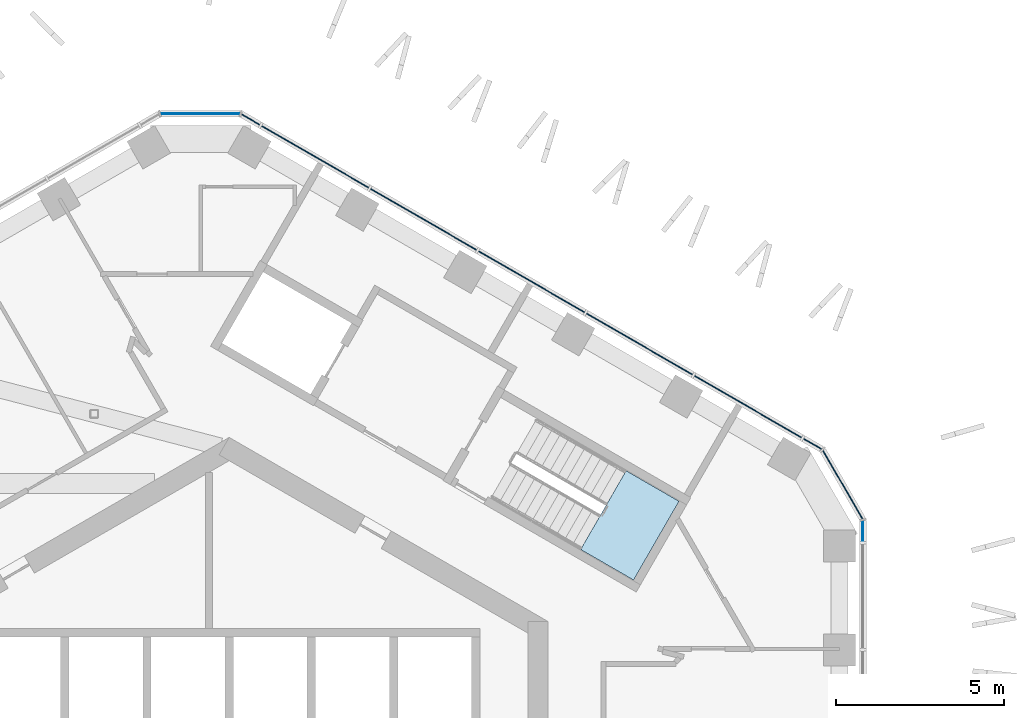
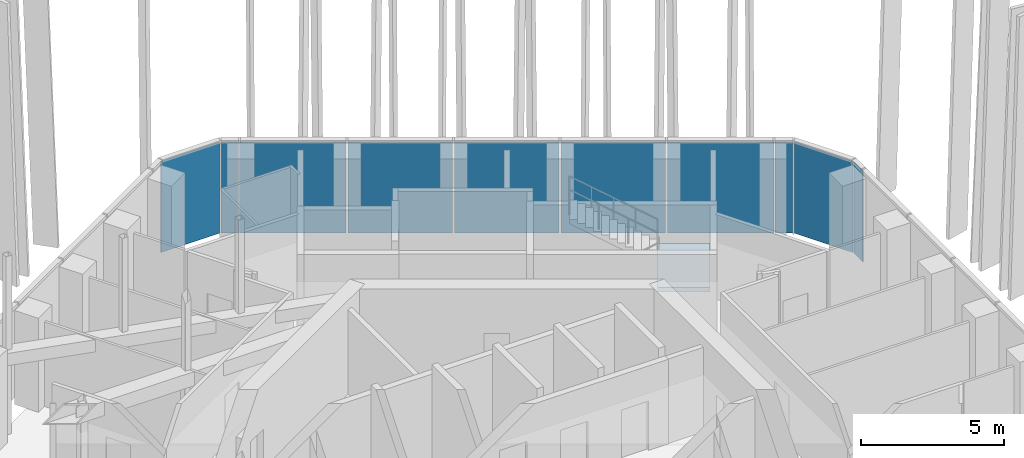
# One storey, part 17 of 28: 10 plates, 1 slab, 4 elements without a shape of their own.
"""IFC4 building model written with IfcOpenShell, lengths in metres."""

from ifc_helpers import new_model, si_unit, direction, frame, origin, origin_2d, place, context, subcontext, project, spatial, polyline, rectangle, outline, extrude, material, layer, layer_set, type_object, element, aggregate, save


model = new_model("IFC4")

# Units and contexts
model_context = context("Model", 3, precision=1e-05, world=origin(), true_north=direction((0.0, 1.0)))
body_context = subcontext(model_context, "Body", "Model", "MODEL_VIEW")
ifc_project = project(units=[si_unit("LENGTHUNIT", "METRE"), si_unit("AREAUNIT", "SQUARE_METRE"), si_unit("VOLUMEUNIT", "CUBIC_METRE"), si_unit("PLANEANGLEUNIT", "RADIAN"), si_unit("MASSUNIT", "GRAM", prefix="KILO")], contexts=[model_context])

# Site, building, storey
site_placement = place(None, origin())
site = spatial("IfcSite", under=ifc_project, at=site_placement, CompositionType="ELEMENT")
building_placement = place(site_placement, origin())
building = spatial("IfcBuilding", under=site, at=building_placement, Name="Ayvan Gate Tower", CompositionType="ELEMENT")
storey_placement = place(building_placement, frame((0.0, 0.0, 202.10009765625)))
storey = spatial("IfcBuildingStorey", under=building, at=storey_placement, Name="L54", CompositionType="ELEMENT", Elevation=202.10009765625)

# Stair, slab
ifc_material_1 = material(Name="Concrete C40/50", Category="concrete")
stair_type = type_object("IfcStairType", Name="ST-EXIT", PredefinedType="HALF_TURN_STAIR", material=ifc_material_1)
stair_placement = place(storey_placement, origin())
stair = element("IfcStair", 1, at=stair_placement, inside=storey, type_object=stair_type, Name="L54 Exit Stair S1", PredefinedType="HALF_TURN_STAIR")
ifc_layer_1 = layer(ifc_material_1, 0.199951171875)
ifc_layer_set_1 = layer_set([ifc_layer_1], Name="Concrete C40/50")
slab_type = type_object("IfcSlabType", Name="SL-LANDING-200", PredefinedType="LANDING", material=ifc_layer_set_1)
slab_placement = place(storey_placement, frame((0.0, 0.0, 1.7998046875)))
slab = element("IfcSlab", 2, at=slab_placement, type_object=slab_type, Name="STS1 landing 1", PredefinedType="LANDING", context=body_context, shape_type="SweptSolid", body=[
    extrude(outline(polyline([(10.473388671875, 7.630615234375), (12.049560546875, 6.720458984375), (13.404541015625, 9.0673828125), (11.828369140625, 9.9775390625), (10.473388671875, 7.630615234375)])), origin(), (0.0, 0.0, 1.0), 0.2001953125),
])
aggregate(stair, [slab])

# Curtain wall, plates
ifc_material_2 = material(Name="Bronze anodised aluminium", Category="aluminium")
ifc_layer_2 = layer(ifc_material_2, 0.199951171875)
ifc_layer_set_2 = layer_set([ifc_layer_2], Name="Bronze anodised aluminium")
curtain_wall_type_1 = type_object("IfcCurtainWallType", Name="Stick curtain wall CW-2", PredefinedType="NOTDEFINED", material=ifc_layer_set_2)
curtain_wall_1_placement = place(storey_placement, origin())
curtain_wall_1 = element("IfcCurtainWall", 3, at=curtain_wall_1_placement, inside=storey, type_object=curtain_wall_type_1, Name="Stick curtain wall CW-2 L54", PredefinedType="NOTDEFINED")
ifc_material_3 = material(Name="Clear low-iron laminated glass", Category="glass")
ifc_layer_3 = layer(ifc_material_3, 0.028076171875)
ifc_layer_set_3 = layer_set([ifc_layer_3], Name="Clear low-iron laminated glass")
plate_type_1 = type_object("IfcPlateType", Name="Stick curtain wall CW-2 glass panel", PredefinedType="CURTAIN_PANEL", material=ifc_layer_set_3)
plate_1_placement = place(storey_placement, frame((15.47705078125, 11.876953125, 0.0), z_axis=(0.0, 0.0, 1.0), x_axis=(-0.866025403784, 0.5, 0.0)))
plate_1 = element("IfcPlate", 4, at=plate_1_placement, type_object=plate_type_1, Name="CW-2 glass panel 1", PredefinedType="CURTAIN_PANEL", context=body_context, shape_type="SweptSolid", body=[
    extrude(rectangle(XDim=3.716064453125, YDim=0.028076171875, at=origin_2d()), origin(), (0.0, 0.0, 1.0), 3.8798828125),
])
plate_2_placement = place(storey_placement, frame((12.22900390625, 13.752197265625, 0.0), z_axis=(0.0, 0.0, 1.0), x_axis=(-0.866025403784, 0.5, 0.0)))
plate_2 = element("IfcPlate", 5, at=plate_2_placement, type_object=plate_type_1, Name="CW-2 glass panel 2", PredefinedType="CURTAIN_PANEL", context=body_context, shape_type="SweptSolid", body=[
    extrude(rectangle(XDim=3.64501953125, YDim=0.028076171875, at=origin_2d()), origin(), (0.0, 0.0, 1.0), 3.8798828125),
])
plate_3_placement = place(storey_placement, frame((9.011962890625, 15.609375, 0.0), z_axis=(0.0, 0.0, 1.0), x_axis=(-0.866025403784, 0.5, 0.0)))
plate_3 = element("IfcPlate", 6, at=plate_3_placement, type_object=plate_type_1, Name="CW-2 glass panel 3", PredefinedType="CURTAIN_PANEL", context=body_context, shape_type="SweptSolid", body=[
    extrude(rectangle(XDim=3.64404296875, YDim=0.028076171875, at=origin_2d()), origin(), (0.0, 0.0, 1.0), 3.8798828125),
])
plate_4_placement = place(storey_placement, frame((5.795166015625, 17.466796875, 0.0), z_axis=(0.0, 0.0, 1.0), x_axis=(-0.866025403784, 0.5, 0.0)))
plate_4 = element("IfcPlate", 7, at=plate_4_placement, type_object=plate_type_1, Name="CW-2 glass panel 4", PredefinedType="CURTAIN_PANEL", context=body_context, shape_type="SweptSolid", body=[
    extrude(rectangle(XDim=3.64501953125, YDim=0.028076171875, at=origin_2d()), origin(), (0.0, 0.0, 1.0), 3.8798828125),
])
plate_5_placement = place(storey_placement, frame((2.54736328125, 19.342041015625, 0.0), z_axis=(0.0, 0.0, 1.0), x_axis=(-0.866025403784, 0.5, 0.0)))
plate_5 = element("IfcPlate", 8, at=plate_5_placement, type_object=plate_type_1, Name="CW-2 glass panel 5", PredefinedType="CURTAIN_PANEL", context=body_context, shape_type="SweptSolid", body=[
    extrude(rectangle(XDim=3.7158203125, YDim=0.028076171875, at=origin_2d()), origin(), (0.0, 0.0, 1.0), 3.8798828125),
])
aggregate(curtain_wall_1, [plate_1, plate_2, plate_3, plate_4, plate_5])

ifc_layer_4 = layer(ifc_material_2, 0.199951171875)
ifc_layer_set_4 = layer_set([ifc_layer_4], Name="Bronze anodised aluminium")
curtain_wall_type_2 = type_object("IfcCurtainWallType", Name="Stick curtain wall CW-6", PredefinedType="NOTDEFINED", material=ifc_layer_set_4)
curtain_wall_2_placement = place(storey_placement, origin())
curtain_wall_2 = element("IfcCurtainWall", 9, at=curtain_wall_2_placement, inside=storey, type_object=curtain_wall_type_2, Name="Stick curtain wall CW-6 L54", PredefinedType="NOTDEFINED")
ifc_layer_5 = layer(ifc_material_3, 0.028076171875)
ifc_layer_set_5 = layer_set([ifc_layer_5], Name="Clear low-iron laminated glass")
plate_type_2 = type_object("IfcPlateType", Name="Stick curtain wall CW-6 glass panel", PredefinedType="CURTAIN_PANEL", material=ifc_layer_set_5)
plate_6_placement = place(storey_placement, frame((18.886474609375, 8.177001953125, 0.0), z_axis=(0.0, 0.0, 1.0), x_axis=(0.0, 1.0, 0.0)))
plate_6 = element("IfcPlate", 10, at=plate_6_placement, type_object=plate_type_2, Name="CW-6 glass panel 1", PredefinedType="CURTAIN_PANEL", context=body_context, shape_type="SweptSolid", body=[
    extrude(rectangle(XDim=0.625, YDim=0.028076171875, at=origin_2d()), origin(), (0.0, 0.0, 1.0), 3.8798828125),
])
plate_7_placement = place(storey_placement, frame((18.282958984375, 9.56005859375, 0.0), z_axis=(0.0, 0.0, 1.0), x_axis=(-0.5, 0.866025403784, 0.0)))
plate_7 = element("IfcPlate", 11, at=plate_7_placement, type_object=plate_type_2, Name="CW-6 glass panel 2", PredefinedType="CURTAIN_PANEL", context=body_context, shape_type="SweptSolid", body=[
    extrude(rectangle(XDim=2.364501953125, YDim=0.028076171875, at=origin_2d()), origin(), (0.0, 0.0, 1.0), 3.8798828125),
])
plate_8_placement = place(storey_placement, frame((17.386962890625, 10.774169921875, 0.0), z_axis=(0.0, 0.0, 1.0), x_axis=(-0.866025403784, 0.5, 0.0)))
plate_8 = element("IfcPlate", 12, at=plate_8_placement, type_object=plate_type_2, Name="CW-6 glass panel 3", PredefinedType="CURTAIN_PANEL", context=body_context, shape_type="SweptSolid", body=[
    extrude(rectangle(XDim=0.625, YDim=0.028076171875, at=origin_2d()), origin(), (0.0, 0.0, 1.0), 3.8798828125),
])
aggregate(curtain_wall_2, [plate_6, plate_7, plate_8])

curtain_wall_3_placement = place(storey_placement, origin())
curtain_wall_3 = element("IfcCurtainWall", 13, at=curtain_wall_3_placement, inside=storey, type_object=curtain_wall_type_2, Name="Stick curtain wall CW-6 L54", PredefinedType="NOTDEFINED")
plate_9_placement = place(storey_placement, frame((0.63720703125, 20.444580078125, 0.0), z_axis=(0.0, 0.0, 1.0), x_axis=(-0.866025403784, 0.5, 0.0)))
plate_9 = element("IfcPlate", 14, at=plate_9_placement, type_object=plate_type_2, Name="CW-6 glass panel 1", PredefinedType="CURTAIN_PANEL", context=body_context, shape_type="SweptSolid", body=[
    extrude(rectangle(XDim=0.625, YDim=0.028076171875, at=origin_2d()), origin(), (0.0, 0.0, 1.0), 3.8798828125),
])
plate_10_placement = place(storey_placement, frame((-0.8623046875, 20.613525390625, 0.0), z_axis=(0.0, 0.0, 1.0), x_axis=(-1.0, 0.0, 0.0)))
plate_10 = element("IfcPlate", 15, at=plate_10_placement, type_object=plate_type_2, Name="CW-6 glass panel 2", PredefinedType="CURTAIN_PANEL", context=body_context, shape_type="SweptSolid", body=[
    extrude(rectangle(XDim=2.364501953125, YDim=0.028076171875, at=origin_2d()), origin(), (0.0, 0.0, 1.0), 3.8798828125),
])
aggregate(curtain_wall_3, [plate_9, plate_10])

save(model, "model.ifc")
